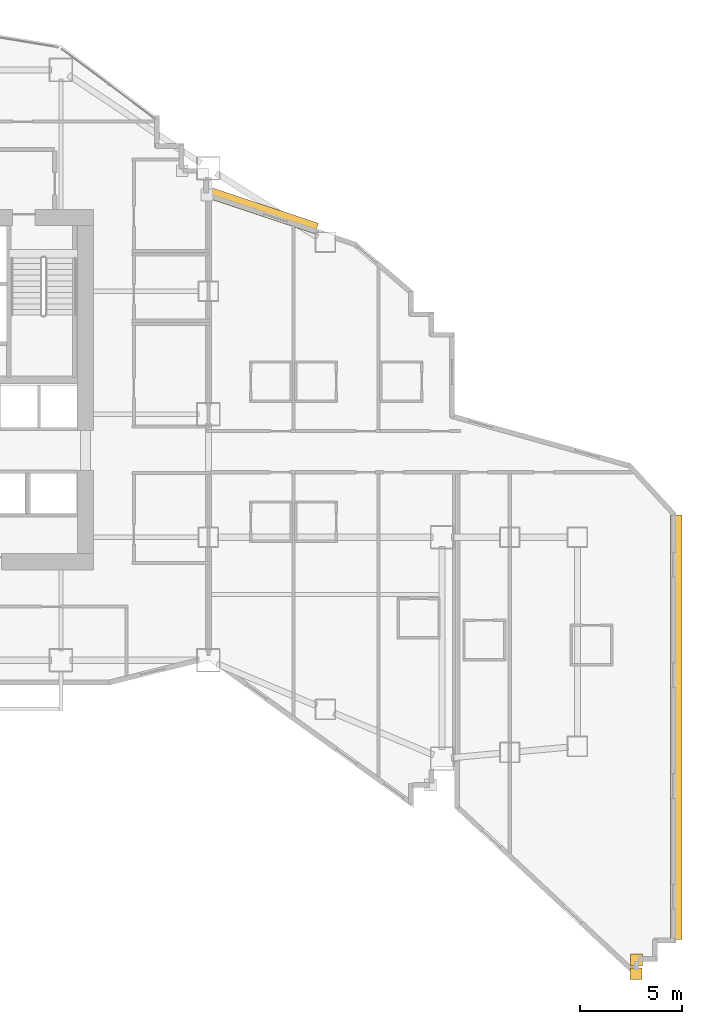
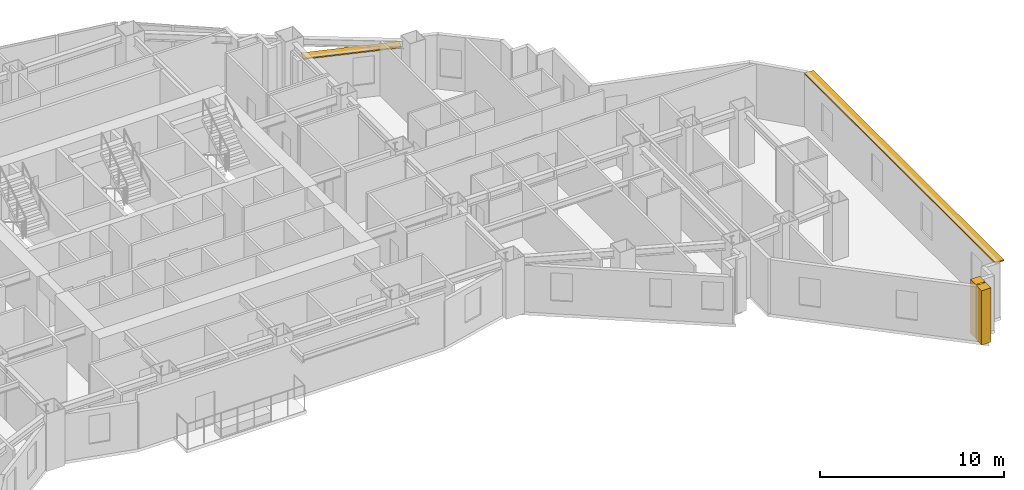
# One storey, part 16 of 16: 2 coverings, 2 shading devices.
"""IFC4 building model written with IfcOpenShell, lengths in metres."""

from ifc_helpers import new_model, si_unit, direction, frame, origin, origin_2d, place, context, subcontext, project, spatial, rectangle, extrude, material, layer, layer_set, type_object, element, save


model = new_model("IFC4")

# Units and contexts
model_context = context("Model", 3, precision=1e-05, world=origin(), true_north=direction((0.0, 1.0)))
body_context = subcontext(model_context, "Body", "Model", "MODEL_VIEW")
ifc_project = project(units=[si_unit("LENGTHUNIT", "METRE"), si_unit("AREAUNIT", "SQUARE_METRE"), si_unit("VOLUMEUNIT", "CUBIC_METRE"), si_unit("PLANEANGLEUNIT", "RADIAN"), si_unit("MASSUNIT", "GRAM", prefix="KILO")], contexts=[model_context])

# Site, building, storey
site_placement = place(None, origin())
site = spatial("IfcSite", under=ifc_project, at=site_placement, CompositionType="ELEMENT")
building_placement = place(site_placement, origin())
building = spatial("IfcBuilding", under=site, at=building_placement, Name="Haolan Belvedere Tower", CompositionType="ELEMENT")
storey_placement = place(building_placement, frame((0.0, 0.0, 78.0)))
storey = spatial("IfcBuildingStorey", under=building, at=storey_placement, Name="L19", CompositionType="ELEMENT", Elevation=78.0)

# Coverings
ifc_material_1 = material(Name="Pale champagne-silver anodised aluminium rainscreen cladding", Category="aluminium")
ifc_layer_1 = layer(ifc_material_1, 0.034912109375, Name="Pale champagne-silver anodised aluminium rainscreen cladding")
ifc_layer_set_1 = layer_set([ifc_layer_1], Name="Pale champagne-silver anodised aluminium rainscreen cladding")
covering_type = type_object("IfcCoveringType", Name="COV-CLAD-35", PredefinedType="CLADDING", material=ifc_layer_set_1)
for number, where, z_axis, x_axis, name in (
    (1, (73.64892578125, 6.30517578125, 0.0), (0.0, 0.0, 1.0), (1.0, 0.0, 0.0), "L19 pale-metal serrated corner cladding trim 5"),
    (2, (73.679931640625, 6.9775390625, 0.0), (0.0, 0.0, 1.0), (1.0, 0.0, 0.0), "L19 pale-metal serrated corner cladding trim 6"),
):
    element("IfcCovering", number, at=place(storey_placement, frame(where, z_axis=z_axis, x_axis=x_axis)), inside=storey, type_object=covering_type, Name=name, PredefinedType="CLADDING", context=body_context, shape_type="SweptSolid", body=[
        extrude(rectangle(XDim=0.580078125, YDim=0.580078125, at=origin_2d()), origin(), (0.0, 0.0, 1.0), 3.60009765625),
    ])

# Shading devices
ifc_material_2 = material(Name="Anodised champagne-silver aluminium 6063-T6", Category="aluminium")
ifc_layer_2 = layer(ifc_material_2, 0.080078125, Name="Anodised champagne-silver aluminium 6063-T6")
ifc_layer_set_2 = layer_set([ifc_layer_2], Name="Anodised champagne-silver aluminium 6063-T6")
shading_device_type = type_object("IfcShadingDeviceType", Name="SHD-SUN-550", PredefinedType="USERDEFINED", material=ifc_layer_set_2)
shading_device_1_placement = place(storey_placement, frame((75.6201171875, 18.336669921875, 3.5), z_axis=(0.0, 0.0, 1.0), x_axis=(0.0, 1.0, 0.0)))
element("IfcShadingDevice", 3, at=shading_device_1_placement, inside=storey, type_object=shading_device_type, Name="L19 pale-metal horizontal SUNSHADE band 26.1", ObjectType="SUNSHADE", PredefinedType="USERDEFINED", context=body_context, shape_type="SweptSolid", body=[
    extrude(rectangle(XDim=20.703369140625, YDim=0.550048828125, at=origin_2d()), origin(), (0.0, 0.0, 1.0), 0.080078125),
])
shading_device_2_placement = place(storey_placement, frame((55.496826171875, 43.522216796875, 2.9970703125), z_axis=(0.0, 0.0, 1.0), x_axis=(-0.948688534679, 0.316212055698, 0.0)))
element("IfcShadingDevice", 4, at=shading_device_2_placement, inside=storey, type_object=shading_device_type, Name="L19 pale-metal horizontal SUNSHADE band 35.2", ObjectType="SUNSHADE", PredefinedType="USERDEFINED", context=body_context, shape_type="SweptSolid", body=[
    extrude(rectangle(XDim=5.435302734375, YDim=0.550048828125, at=origin_2d()), origin(), (0.0, 0.0, 1.0), 0.080078125),
])

save(model, "model.ifc")
